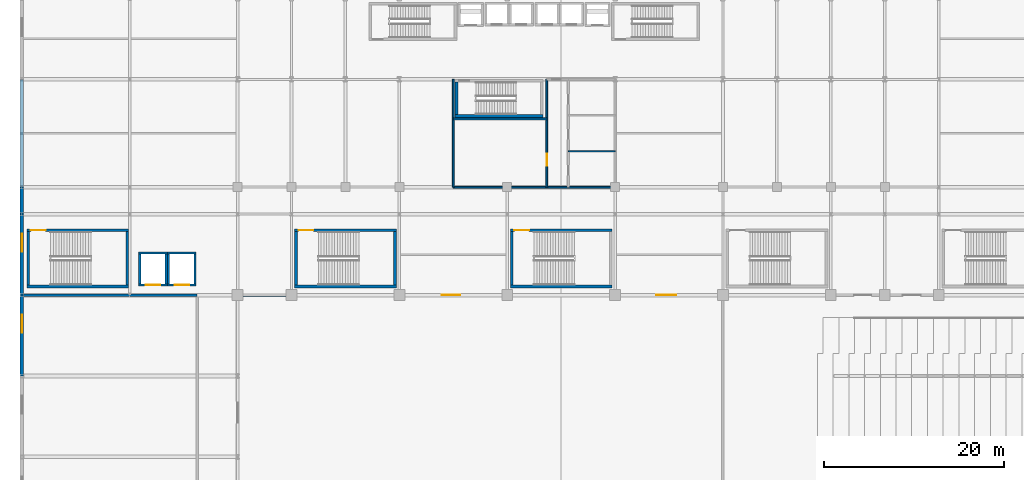
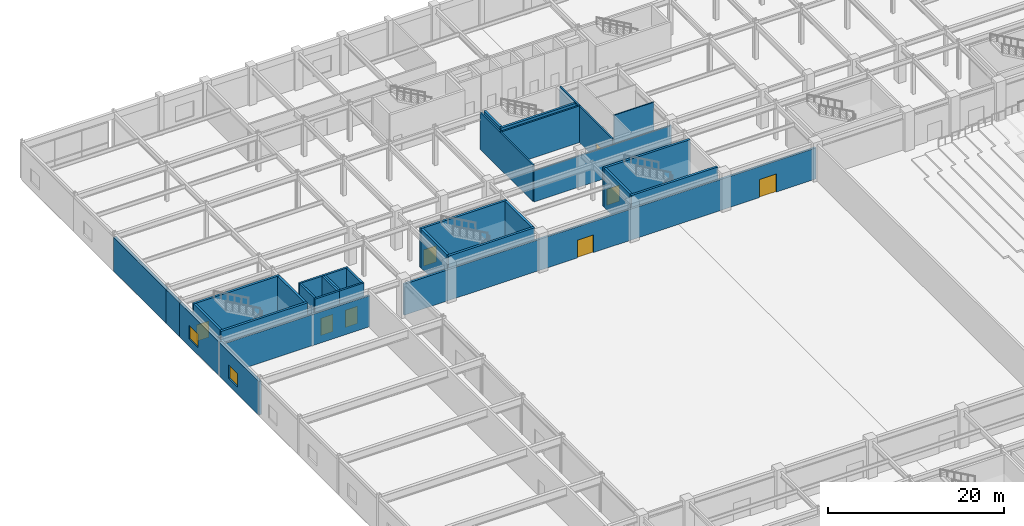
# One storey, part 83 of 100: 32 walls, 8 doors, 2 windows, 10 openings.
"""IFC4 building model written with IfcOpenShell, lengths in metres."""

from ifc_helpers import new_model, si_unit, direction, frame, frame_2d, origin, place, context, subcontext, project, spatial, rectangle, extrude, material, layer, layer_set, type_object, element, fill, save


model = new_model("IFC4")

# Units and contexts
model_context = context("Model", 3, precision=1e-05, world=origin(), true_north=direction((0.0, 1.0)))
body_context = subcontext(model_context, "Body", "Model", "MODEL_VIEW")
ifc_project = project(units=[si_unit("LENGTHUNIT", "METRE"), si_unit("AREAUNIT", "SQUARE_METRE"), si_unit("VOLUMEUNIT", "CUBIC_METRE"), si_unit("PLANEANGLEUNIT", "RADIAN"), si_unit("MASSUNIT", "GRAM", prefix="KILO")], contexts=[model_context])

# Site, building, storey
site_placement = place(None, origin())
site = spatial("IfcSite", under=ifc_project, at=site_placement, CompositionType="ELEMENT")
building_placement = place(site_placement, origin())
building = spatial("IfcBuilding", under=site, at=building_placement, Name="Kaldorvane Square Convention Centre", CompositionType="ELEMENT")
storey_placement = place(building_placement, frame((0.0, 0.0, 18.0)))
storey = spatial("IfcBuildingStorey", under=building, at=storey_placement, Name="L03", CompositionType="ELEMENT", Elevation=18.0)

# Wall, openings, doors
ifc_material_1 = material(Name="Reinforced Concrete Masonry Acoustic Partition", Category="masonry")
ifc_layer_1 = layer(ifc_material_1, 0.279998779296875)
ifc_layer_set_1 = layer_set([ifc_layer_1], Name="Reinforced Concrete Masonry Acoustic Partition")
wall_type_1 = type_object("IfcWallType", Name="WL-ACO-280", PredefinedType="PARTITIONING", material=ifc_layer_set_1)
wall_1_placement = place(storey_placement, frame((78.0, 72.0, 0.0), z_axis=(0.0, 0.0, 1.0), x_axis=(-1.0, 0.0, 0.0)))
wall_1 = element("IfcWall", 1, at=wall_1_placement, inside=storey, type_object=wall_type_1, Name="Ballroom N Wall", PredefinedType="PARTITIONING", context=body_context, shape_type="SweptSolid", body=[
    extrude(rectangle(XDim=54.0, YDim=0.279998779296875, at=frame_2d((27.0, 0.0))), origin(), (0.0, 0.0, 1.0), 4.302001953125),
])
opening_1_placement = place(wall_1_placement, frame((5.1999969482421875, 0.0, 0.0)))
opening_1 = element("IfcOpeningElement", 2, at=opening_1_placement, cuts=wall_1, Name="Opening ID-02", PredefinedType="OPENING", context=body_context, shape_type="SweptSolid", body=[
    extrude(rectangle(XDim=2.1999969482421875, YDim=2.5, at=frame_2d((1.100006103515625, 1.25))), frame((0.0, 0.154998779296875, 0.0), z_axis=(0.0, -1.0, 0.0), x_axis=(1.0, 0.0, 0.0)), (0.0, 0.0, 1.0), 0.30999755859375),
])
opening_2_placement = place(wall_1_placement, frame((29.199996948242188, 0.0, 0.0)))
opening_2 = element("IfcOpeningElement", 3, at=opening_2_placement, cuts=wall_1, Name="Opening ID-03", PredefinedType="OPENING", context=body_context, shape_type="SweptSolid", body=[
    extrude(rectangle(XDim=2.100006103515625, YDim=2.4499969482421875, at=frame_2d((1.0500030517578125, 1.225006103515625))), frame((0.0, 0.154998779296875, 0.0), z_axis=(0.0, -1.0, 0.0), x_axis=(1.0, 0.0, 0.0)), (0.0, 0.0, 1.0), 0.30999755859375),
])
ifc_material_2 = material(Name="Architectural Solid-Core White Oak")
door_type_1 = type_object("IfcDoorType", Name="DR-BALL-2100X2450", OperationType="DOUBLE_DOOR_SINGLE_SWING", PredefinedType="DOOR", material=ifc_material_2)
door_1_placement = place(opening_2_placement, origin())
door_1 = element("IfcDoor", 4, at=door_1_placement, inside=storey, type_object=door_type_1, Name="Ballroom Door 5", OperationType="DOUBLE_DOOR_SINGLE_SWING", OverallHeight=2.4499969482421875, OverallWidth=2.100006103515625, PredefinedType="DOOR", context=body_context, shape_type="SweptSolid", body=[
    extrude(rectangle(XDim=2.100006103515625, YDim=2.4499969482421875, at=frame_2d((1.0500030517578125, 1.225006103515625))), frame((0.0, 0.024993896484375, 0.0), z_axis=(0.0, -1.0, 0.0), x_axis=(1.0, 0.0, 0.0)), (0.0, 0.0, 1.0), 0.0500030517578125),
])
fill(opening_2, door_1)
door_type_2 = type_object("IfcDoorType", Name="DR-BALL-2200X2500", OperationType="DOUBLE_DOOR_SINGLE_SWING", PredefinedType="DOOR", material=ifc_material_2)
door_2_placement = place(opening_1_placement, origin())
door_2 = element("IfcDoor", 5, at=door_2_placement, inside=storey, type_object=door_type_2, Name="Ballroom Door 4", OperationType="DOUBLE_DOOR_SINGLE_SWING", OverallHeight=2.5, OverallWidth=2.1999969482421875, PredefinedType="DOOR", context=body_context, shape_type="SweptSolid", body=[
    extrude(rectangle(XDim=2.1999969482421875, YDim=2.5, at=frame_2d((1.100006103515625, 1.25))), frame((0.0, 0.024993896484375, 0.0), z_axis=(0.0, -1.0, 0.0), x_axis=(1.0, 0.0, 0.0)), (0.0, 0.0, 1.0), 0.0500030517578125),
])
fill(opening_1, door_2)

# Walls
wall_2_placement = place(storey_placement, frame((19.5, 72.0, 0.0), z_axis=(0.0, 0.0, 1.0), x_axis=(-1.0, 0.0, 0.0)))
element("IfcWall", 6, at=wall_2_placement, inside=storey, type_object=wall_type_1, Name="Banquet Catering Kitchen N Wall", PredefinedType="PARTITIONING", context=body_context, shape_type="SweptSolid", body=[
    extrude(rectangle(XDim=19.30999755859375, YDim=0.279998779296875, at=frame_2d((9.654998779296875, 0.0))), origin(), (0.0, 0.0, 1.0), 4.302001953125),
])
ifc_material_3 = material(Name="Fire-Rated Gypsum Board on Acoustic Steel Studs", Category="steel")
ifc_layer_2 = layer(ifc_material_3, 0.1999969482421875)
ifc_layer_set_2 = layer_set([ifc_layer_2], Name="Fire-Rated Gypsum Board on Acoustic Steel Studs")
wall_type_2 = type_object("IfcWallType", Name="WL-CORR-200", PredefinedType="PARTITIONING", material=ifc_layer_set_2)
wall_3_placement = place(storey_placement, frame((48.0, 84.0, 0.0), z_axis=(0.0, 0.0, 1.0), x_axis=(1.0, 0.0, 0.0)))
element("IfcWall", 7, at=wall_3_placement, inside=storey, type_object=wall_type_2, Name="Service Block South Partition (L03)", PredefinedType="PARTITIONING", context=body_context, shape_type="SweptSolid", body=[
    extrude(rectangle(XDim=18.0, YDim=0.1999969482421875, at=frame_2d((9.0, 0.0))), origin(), (0.0, 0.0, 1.0), 4.302001953125),
])

# Wall, opening, door
wall_4_placement = place(storey_placement, frame((58.399993896484375, 84.0, 0.0), z_axis=(0.0, 0.0, 1.0), x_axis=(0.0, 1.0, 0.0)))
wall_4 = element("IfcWall", 8, at=wall_4_placement, inside=storey, type_object=wall_type_2, Name="Restroom Vestibule West Wall (L03)", PredefinedType="PARTITIONING", context=body_context, shape_type="SweptSolid", body=[
    extrude(rectangle(XDim=12.0, YDim=0.1999969482421875, at=frame_2d((6.0, 0.0))), origin(), (0.0, 0.0, 1.0), 5.0800018310546875),
])
opening_3_placement = place(wall_4_placement, frame((2.399993896484375, 0.0, 0.0)))
opening_3 = element("IfcOpeningElement", 9, at=opening_3_placement, cuts=wall_4, Name="Opening ID-09", PredefinedType="OPENING", context=body_context, shape_type="SweptSolid", body=[
    extrude(rectangle(XDim=1.3000030517578125, YDim=2.1999969482421875, at=frame_2d((0.649993896484375, 1.100006103515625))), frame((0.0, 0.114990234375, 0.0), z_axis=(0.0, -1.0, 0.0), x_axis=(1.0, 0.0, 0.0)), (0.0, 0.0, 1.0), 0.2299957275390625),
])
ifc_material_4 = material(Name="Insulated Hollow Metal Steel", Category="steel")
door_type_3 = type_object("IfcDoorType", Name="DR-SVC-1300X2200", OperationType="DOUBLE_DOOR_SINGLE_SWING", PredefinedType="DOOR", material=ifc_material_4)
door_3_placement = place(opening_3_placement, origin())
door_3 = element("IfcDoor", 10, at=door_3_placement, inside=storey, type_object=door_type_3, Name="Janitor and Service Closet (L03) Door", OperationType="DOUBLE_DOOR_SINGLE_SWING", OverallHeight=2.1999969482421875, OverallWidth=1.3000030517578125, PredefinedType="DOOR", context=body_context, shape_type="SweptSolid", body=[
    extrude(rectangle(XDim=1.3000030517578125, YDim=2.1999969482421875, at=frame_2d((0.649993896484375, 1.100006103515625))), frame((0.0, 0.024993896484375, 0.0), z_axis=(0.0, -1.0, 0.0), x_axis=(1.0, 0.0, 0.0)), (0.0, 0.0, 1.0), 0.0500030517578125),
])
fill(opening_3, door_3)

# Walls
wall_5_placement = place(storey_placement, frame((48.0, 91.60000610351562, 0.0), z_axis=(0.0, 0.0, 1.0), x_axis=(1.0, 0.0, 0.0)))
element("IfcWall", 11, at=wall_5_placement, inside=storey, type_object=wall_type_2, Name="Housekeeping North Wall (L03)", PredefinedType="PARTITIONING", context=body_context, shape_type="SweptSolid", body=[
    extrude(rectangle(XDim=10.399993896484375, YDim=0.1999969482421875, at=frame_2d((5.1999969482421875, 0.0))), origin(), (0.0, 0.0, 1.0), 5.0800018310546875),
])
wall_6_placement = place(storey_placement, frame((48.0, 84.0, 0.0), z_axis=(0.0, 0.0, 1.0), x_axis=(0.0, 1.0, 0.0)))
element("IfcWall", 12, at=wall_6_placement, inside=storey, type_object=wall_type_2, Name="Service Block West Wall (L03)", PredefinedType="PARTITIONING", context=body_context, shape_type="SweptSolid", body=[
    extrude(rectangle(XDim=12.0, YDim=0.1999969482421875, at=frame_2d((6.0, 0.0))), origin(), (0.0, 0.0, 1.0), 5.0800018310546875),
])

# Wall, opening, window
ifc_material_5 = material(Name="Concrete f'c = 42 MPa (Normalweight)", Category="concrete")
ifc_layer_3 = layer(ifc_material_5, 0.3800048828125)
ifc_layer_set_3 = layer_set([ifc_layer_3], Name="Concrete f'c = 42 MPa (Normalweight)")
wall_type_3 = type_object("IfcWallType", Name="WL-EXT-380", PredefinedType="STANDARD", material=ifc_layer_set_3)
wall_7_placement = place(storey_placement, frame((0.0, 72.0, 0.0), z_axis=(0.0, 0.0, 1.0), x_axis=(0.0, -1.0, 0.0)))
wall_7 = element("IfcWall", 13, at=wall_7_placement, inside=storey, type_object=wall_type_3, Name="West Brutalist Facade Wall (L03)", PredefinedType="STANDARD", context=body_context, shape_type="SweptSolid", body=[
    extrude(rectangle(XDim=9.0, YDim=0.3800048828125, at=frame_2d((4.5, 0.0))), origin(), (0.0, 0.0, 1.0), 4.66900634765625),
])
opening_4_placement = place(wall_7_placement, frame((2.1999969482421875, 0.0, 1.0)))
opening_4 = element("IfcOpeningElement", 14, at=opening_4_placement, cuts=wall_7, Name="Opening W-21", PredefinedType="OPENING", context=body_context, shape_type="SweptSolid", body=[
    extrude(rectangle(XDim=2.0, YDim=1.850006103515625, at=frame_2d((1.0, 0.9250030517578125))), frame((0.0, 0.2050018310546875, 0.0), z_axis=(0.0, -1.0, 0.0), x_axis=(1.0, 0.0, 0.0)), (0.0, 0.0, 1.0), 0.410003662109375),
])
ifc_material_6 = material(Name="Anodized Aluminum and Low-E Insulated Glazing", Category="aluminium")
window_type = type_object("IfcWindowType", Name="WN-POD-2000X1850", PartitioningType="DOUBLE_PANEL_VERTICAL", PredefinedType="WINDOW", material=ifc_material_6)
window_1_placement = place(opening_4_placement, origin())
window_1 = element("IfcWindow", 15, at=window_1_placement, inside=storey, type_object=window_type, Name="West Facade Window (L03)", OverallHeight=1.850006103515625, OverallWidth=2.0, PartitioningType="DOUBLE_PANEL_VERTICAL", PredefinedType="WINDOW", context=body_context, shape_type="SweptSolid", body=[
    extrude(rectangle(XDim=2.0, YDim=1.850006103515625, at=frame_2d((1.0, 0.9250030517578125))), frame((0.0, 0.029998779296875, 0.0), z_axis=(0.0, -1.0, 0.0), x_axis=(1.0, 0.0, 0.0)), (0.0, 0.0, 1.0), 0.05999755859375),
])
fill(opening_4, window_1)

wall_8_placement = place(storey_placement, frame((0.0, 81.0, 0.0), z_axis=(0.0, 0.0, 1.0), x_axis=(0.0, -1.0, 0.0)))
wall_8 = element("IfcWall", 16, at=wall_8_placement, inside=storey, type_object=wall_type_3, Name="West Brutalist Facade Wall (L03)", PredefinedType="STANDARD", context=body_context, shape_type="SweptSolid", body=[
    extrude(rectangle(XDim=9.0, YDim=0.3800048828125, at=frame_2d((4.5, 0.0))), origin(), (0.0, 0.0, 1.0), 4.66900634765625),
])
opening_5_placement = place(wall_8_placement, frame((2.1999969482421875, 0.0, 1.0)))
opening_5 = element("IfcOpeningElement", 17, at=opening_5_placement, cuts=wall_8, Name="Opening W-21", PredefinedType="OPENING", context=body_context, shape_type="SweptSolid", body=[
    extrude(rectangle(XDim=2.0, YDim=1.850006103515625, at=frame_2d((1.0, 0.9250030517578125))), frame((0.0, 0.2050018310546875, 0.0), z_axis=(0.0, -1.0, 0.0), x_axis=(1.0, 0.0, 0.0)), (0.0, 0.0, 1.0), 0.410003662109375),
])
window_2_placement = place(opening_5_placement, origin())
window_2 = element("IfcWindow", 18, at=window_2_placement, inside=storey, type_object=window_type, Name="West Facade Window (L03)", OverallHeight=1.850006103515625, OverallWidth=2.0, PartitioningType="DOUBLE_PANEL_VERTICAL", PredefinedType="WINDOW", context=body_context, shape_type="SweptSolid", body=[
    extrude(rectangle(XDim=2.0, YDim=1.850006103515625, at=frame_2d((1.0, 0.9250030517578125))), frame((0.0, 0.029998779296875, 0.0), z_axis=(0.0, -1.0, 0.0), x_axis=(1.0, 0.0, 0.0)), (0.0, 0.0, 1.0), 0.05999755859375),
])
fill(opening_5, window_2)

# Walls
wall_9_placement = place(storey_placement, frame((0.0, 84.0, 0.0), z_axis=(0.0, 0.0, 1.0), x_axis=(0.0, -1.0, 0.0)))
element("IfcWall", 19, at=wall_9_placement, inside=storey, type_object=wall_type_3, Name="West Brutalist Facade Wall (L03)", PredefinedType="STANDARD", context=body_context, shape_type="SweptSolid", body=[
    extrude(rectangle(XDim=3.0, YDim=0.3800048828125, at=frame_2d((1.5, 0.0))), origin(), (0.0, 0.0, 1.0), 4.66900634765625),
])
wall_10_placement = place(storey_placement, frame((0.0, 96.0, 0.0), z_axis=(0.0, 0.0, 1.0), x_axis=(0.0, -1.0, 0.0)))
element("IfcWall", 20, at=wall_10_placement, inside=storey, type_object=wall_type_3, Name="West Brutalist Facade Wall (L03)", PredefinedType="STANDARD", context=body_context, shape_type="SweptSolid", body=[
    extrude(rectangle(XDim=12.0, YDim=0.3800048828125, at=frame_2d((6.0, 0.0))), origin(), (0.0, 0.0, 1.0), 4.66900634765625),
])
ifc_layer_4 = layer(ifc_material_3, 0.149993896484375)
ifc_layer_set_4 = layer_set([ifc_layer_4], Name="Fire-Rated Gypsum Board on Acoustic Steel Studs")
wall_type_4 = type_object("IfcWallType", Name="WL-PART-150", PredefinedType="PARTITIONING", material=ifc_layer_set_4)
wall_11_placement = place(storey_placement, frame((60.80000305175781, 88.0, 0.0), z_axis=(0.0, 0.0, 1.0), x_axis=(1.0, 0.0, 0.0)))
element("IfcWall", 21, at=wall_11_placement, inside=storey, type_object=wall_type_4, Name="Restroom Partition 1 (L03)", PredefinedType="PARTITIONING", context=body_context, shape_type="SweptSolid", body=[
    extrude(rectangle(XDim=5.1999969482421875, YDim=0.149993896484375, at=frame_2d((2.600006103515625, 0.0))), origin(), (0.0, 0.0, 1.0), 5.0800018310546875),
])
ifc_material_7 = material(Name="Concrete f'c = 55 MPa (Normalweight)", Category="concrete")
ifc_layer_5 = layer(ifc_material_7, 0.3000030517578125)
ifc_layer_set_5 = layer_set([ifc_layer_5], Name="Concrete f'c = 55 MPa (Normalweight)")
wall_type_5 = type_object("IfcWallType", Name="WL-SHAFT-300", PredefinedType="SHEAR", material=ifc_layer_set_5)
wall_12_placement = place(storey_placement, frame((48.19999694824219, 91.91000366210938, 0.0), z_axis=(0.0, 0.0, 1.0), x_axis=(1.0, 0.0, 0.0)))
element("IfcWall", 22, at=wall_12_placement, inside=storey, type_object=wall_type_5, Name="Core Enclosure Wall stair:ST-T3-S (L03)", PredefinedType="SHEAR", context=body_context, shape_type="SweptSolid", body=[
    extrude(rectangle(XDim=9.800003051757812, YDim=0.3000030517578125, at=frame_2d((4.899993896484375, 0.0))), origin(), (0.0, 0.0, 1.0), 5.399993896484375),
])
wall_13_placement = place(storey_placement, frame((48.350006103515625, 95.69999694824219, 0.0), z_axis=(0.0, 0.0, 1.0), x_axis=(0.0, -1.0, 0.0)))
element("IfcWall", 23, at=wall_13_placement, inside=storey, type_object=wall_type_5, Name="Core Enclosure Wall stair:ST-T3-W (L03)", PredefinedType="SHEAR", context=body_context, shape_type="SweptSolid", body=[
    extrude(rectangle(XDim=3.6399993896484375, YDim=0.3000030517578125, at=frame_2d((1.82000732421875, 0.0))), origin(), (0.0, 0.0, 1.0), 5.399993896484375),
])
wall_14_placement = place(storey_placement, frame((0.55999755859375, 72.94999694824219, 0.0), z_axis=(0.0, 0.0, 1.0), x_axis=(1.0, 0.0, 0.0)))
element("IfcWall", 24, at=wall_14_placement, inside=storey, type_object=wall_type_5, Name="Core Enclosure Wall stair:ST-C12-S (L03)", PredefinedType="SHEAR", context=body_context, shape_type="SweptSolid", body=[
    extrude(rectangle(XDim=11.32000732421875, YDim=0.3000030517578125, at=frame_2d((5.660003662109375, 0.0))), origin(), (0.0, 0.0, 1.0), 5.399993896484375),
])

# Wall, opening, door
wall_15_placement = place(storey_placement, frame((11.8800048828125, 79.21000671386719, 0.0), z_axis=(0.0, 0.0, 1.0), x_axis=(-1.0, 0.0, 0.0)))
wall_15 = element("IfcWall", 25, at=wall_15_placement, inside=storey, type_object=wall_type_5, Name="Core Enclosure Wall stair:ST-C12-N (L03)", PredefinedType="SHEAR", context=body_context, shape_type="SweptSolid", body=[
    extrude(rectangle(XDim=11.32000732421875, YDim=0.3000030517578125, at=frame_2d((5.660003662109375, 0.0))), origin(), (0.0, 0.0, 1.0), 5.399993896484375),
])
opening_6_placement = place(wall_15_placement, frame((9.220001220703125, 0.0, 0.0)))
opening_6 = element("IfcOpeningElement", 26, at=opening_6_placement, cuts=wall_15, Name="Opening FD90-S2", PredefinedType="OPENING", context=body_context, shape_type="SweptSolid", body=[
    extrude(rectangle(XDim=1.649993896484375, YDim=2.25, at=frame_2d((0.8249969482421875, 1.125))), frame((0.0, 0.165008544921875, 0.0), z_axis=(0.0, -1.0, 0.0), x_axis=(1.0, 0.0, 0.0)), (0.0, 0.0, 1.0), 0.3300018310546875),
])
ifc_material_8 = material(Name="Fire-Rated Hollow Metal Steel", Category="steel")
door_type_4 = type_object("IfcDoorType", Name="DR-STAIR-1650", OperationType="DOUBLE_DOOR_SINGLE_SWING", PredefinedType="DOOR", material=ifc_material_8)
door_4_placement = place(opening_6_placement, origin())
door_4 = element("IfcDoor", 27, at=door_4_placement, inside=storey, type_object=door_type_4, Name="Convention Exit Stair C12 Fire Door (L03)", OperationType="DOUBLE_DOOR_SINGLE_SWING", OverallHeight=2.25, OverallWidth=1.649993896484375, PredefinedType="DOOR", context=body_context, shape_type="SweptSolid", body=[
    extrude(rectangle(XDim=1.649993896484375, YDim=2.25, at=frame_2d((0.8249969482421875, 1.125))), frame((0.0, 0.024993896484375, 0.0), z_axis=(0.0, -1.0, 0.0), x_axis=(1.0, 0.0, 0.0)), (0.0, 0.0, 1.0), 0.0500030517578125),
])
fill(opening_6, door_4)

# Walls
for number, where, z_axis, x_axis, name in (
    (28, (0.7100067138671875, 79.05999755859375, 0.0), (0.0, 0.0, 1.0), (0.0, -1.0, 0.0), "Core Enclosure Wall stair:ST-C12-W (L03)"),
    (29, (11.729995727539062, 73.10000610351562, 0.0), (0.0, 0.0, 1.0), (0.0, 1.0, 0.0), "Core Enclosure Wall stair:ST-C12-E (L03)"),
):
    element("IfcWall", number, at=place(storey_placement, frame(where, z_axis=z_axis, x_axis=x_axis)), inside=storey, type_object=wall_type_5, Name=name, PredefinedType="SHEAR", context=body_context, shape_type="SweptSolid", body=[
        extrude(rectangle(XDim=5.959991455078125, YDim=0.3000030517578125, at=frame_2d((2.9799957275390625, 0.0))), origin(), (0.0, 0.0, 1.0), 5.399993896484375),
    ])
wall_16_placement = place(storey_placement, frame((30.339996337890625, 72.94999694824219, 0.0), z_axis=(0.0, 0.0, 1.0), x_axis=(1.0, 0.0, 0.0)))
element("IfcWall", 30, at=wall_16_placement, inside=storey, type_object=wall_type_5, Name="Core Enclosure Wall stair:ST-C13-S (L03)", PredefinedType="SHEAR", context=body_context, shape_type="SweptSolid", body=[
    extrude(rectangle(XDim=11.32000732421875, YDim=0.3000030517578125, at=frame_2d((5.660003662109375, 0.0))), origin(), (0.0, 0.0, 1.0), 5.399993896484375),
])

# Wall, opening, door
wall_17_placement = place(storey_placement, frame((41.660003662109375, 79.21000671386719, 0.0), z_axis=(0.0, 0.0, 1.0), x_axis=(-1.0, 0.0, 0.0)))
wall_17 = element("IfcWall", 31, at=wall_17_placement, inside=storey, type_object=wall_type_5, Name="Core Enclosure Wall stair:ST-C13-N (L03)", PredefinedType="SHEAR", context=body_context, shape_type="SweptSolid", body=[
    extrude(rectangle(XDim=11.32000732421875, YDim=0.3000030517578125, at=frame_2d((5.660003662109375, 0.0))), origin(), (0.0, 0.0, 1.0), 5.399993896484375),
])
opening_7_placement = place(wall_17_placement, frame((9.220001220703125, 0.0, 0.0)))
opening_7 = element("IfcOpeningElement", 32, at=opening_7_placement, cuts=wall_17, Name="Opening FD90-S2", PredefinedType="OPENING", context=body_context, shape_type="SweptSolid", body=[
    extrude(rectangle(XDim=1.649993896484375, YDim=2.25, at=frame_2d((0.8249969482421875, 1.125))), frame((0.0, 0.165008544921875, 0.0), z_axis=(0.0, -1.0, 0.0), x_axis=(1.0, 0.0, 0.0)), (0.0, 0.0, 1.0), 0.3300018310546875),
])
door_5_placement = place(opening_7_placement, origin())
door_5 = element("IfcDoor", 33, at=door_5_placement, inside=storey, type_object=door_type_4, Name="Convention Exit Stair C13 Fire Door (L03)", OperationType="DOUBLE_DOOR_SINGLE_SWING", OverallHeight=2.25, OverallWidth=1.649993896484375, PredefinedType="DOOR", context=body_context, shape_type="SweptSolid", body=[
    extrude(rectangle(XDim=1.649993896484375, YDim=2.25, at=frame_2d((0.8249969482421875, 1.125))), frame((0.0, 0.024993896484375, 0.0), z_axis=(0.0, -1.0, 0.0), x_axis=(1.0, 0.0, 0.0)), (0.0, 0.0, 1.0), 0.0500030517578125),
])
fill(opening_7, door_5)

# Walls
for number, where, z_axis, x_axis, name in (
    (34, (30.490005493164062, 79.05999755859375, 0.0), (0.0, 0.0, 1.0), (0.0, -1.0, 0.0), "Core Enclosure Wall stair:ST-C13-W (L03)"),
    (35, (41.50999450683594, 73.10000610351562, 0.0), (0.0, 0.0, 1.0), (0.0, 1.0, 0.0), "Core Enclosure Wall stair:ST-C13-E (L03)"),
):
    element("IfcWall", number, at=place(storey_placement, frame(where, z_axis=z_axis, x_axis=x_axis)), inside=storey, type_object=wall_type_5, Name=name, PredefinedType="SHEAR", context=body_context, shape_type="SweptSolid", body=[
        extrude(rectangle(XDim=5.959991455078125, YDim=0.3000030517578125, at=frame_2d((2.9799957275390625, 0.0))), origin(), (0.0, 0.0, 1.0), 5.399993896484375),
    ])
wall_18_placement = place(storey_placement, frame((54.339996337890625, 72.94999694824219, 0.0), z_axis=(0.0, 0.0, 1.0), x_axis=(1.0, 0.0, 0.0)))
element("IfcWall", 36, at=wall_18_placement, inside=storey, type_object=wall_type_5, Name="Core Enclosure Wall stair:ST-C14-S (L03)", PredefinedType="SHEAR", context=body_context, shape_type="SweptSolid", body=[
    extrude(rectangle(XDim=11.32000732421875, YDim=0.3000030517578125, at=frame_2d((5.660003662109375, 0.0))), origin(), (0.0, 0.0, 1.0), 5.399993896484375),
])

# Wall, opening, door
wall_19_placement = place(storey_placement, frame((65.66000366210938, 79.21000671386719, 0.0), z_axis=(0.0, 0.0, 1.0), x_axis=(-1.0, 0.0, 0.0)))
wall_19 = element("IfcWall", 37, at=wall_19_placement, inside=storey, type_object=wall_type_5, Name="Core Enclosure Wall stair:ST-C14-N (L03)", PredefinedType="SHEAR", context=body_context, shape_type="SweptSolid", body=[
    extrude(rectangle(XDim=11.32000732421875, YDim=0.3000030517578125, at=frame_2d((5.660003662109375, 0.0))), origin(), (0.0, 0.0, 1.0), 5.399993896484375),
])
opening_8_placement = place(wall_19_placement, frame((9.220001220703125, 0.0, 0.0)))
opening_8 = element("IfcOpeningElement", 38, at=opening_8_placement, cuts=wall_19, Name="Opening FD90-S2", PredefinedType="OPENING", context=body_context, shape_type="SweptSolid", body=[
    extrude(rectangle(XDim=1.649993896484375, YDim=2.25, at=frame_2d((0.8249969482421875, 1.125))), frame((0.0, 0.165008544921875, 0.0), z_axis=(0.0, -1.0, 0.0), x_axis=(1.0, 0.0, 0.0)), (0.0, 0.0, 1.0), 0.3300018310546875),
])
door_6_placement = place(opening_8_placement, origin())
door_6 = element("IfcDoor", 39, at=door_6_placement, inside=storey, type_object=door_type_4, Name="Convention Exit Stair C14 Fire Door (L03)", OperationType="DOUBLE_DOOR_SINGLE_SWING", OverallHeight=2.25, OverallWidth=1.649993896484375, PredefinedType="DOOR", context=body_context, shape_type="SweptSolid", body=[
    extrude(rectangle(XDim=1.649993896484375, YDim=2.25, at=frame_2d((0.8249969482421875, 1.125))), frame((0.0, 0.024993896484375, 0.0), z_axis=(0.0, -1.0, 0.0), x_axis=(1.0, 0.0, 0.0)), (0.0, 0.0, 1.0), 0.0500030517578125),
])
fill(opening_8, door_6)

# Wall
wall_20_placement = place(storey_placement, frame((54.49000549316406, 79.05999755859375, 0.0), z_axis=(0.0, 0.0, 1.0), x_axis=(0.0, -1.0, 0.0)))
element("IfcWall", 40, at=wall_20_placement, inside=storey, type_object=wall_type_5, Name="Core Enclosure Wall stair:ST-C14-W (L03)", PredefinedType="SHEAR", context=body_context, shape_type="SweptSolid", body=[
    extrude(rectangle(XDim=5.959991455078125, YDim=0.3000030517578125, at=frame_2d((2.9799957275390625, 0.0))), origin(), (0.0, 0.0, 1.0), 5.399993896484375),
])

# Wall, opening, door
wall_21_placement = place(storey_placement, frame((13.0, 73.125, 0.0), z_axis=(0.0, 0.0, 1.0), x_axis=(1.0, 0.0, 0.0)))
wall_21 = element("IfcWall", 41, at=wall_21_placement, inside=storey, type_object=wall_type_5, Name="Core Enclosure Wall lift:EL-G1-S (L03)", PredefinedType="SHEAR", context=body_context, shape_type="SweptSolid", body=[
    extrude(rectangle(XDim=3.1999969482421875, YDim=0.25, at=frame_2d((1.600006103515625, 0.0))), origin(), (0.0, 0.0, 1.0), 5.399993896484375),
])
opening_9_placement = place(wall_21_placement, frame((0.8000030517578125, 0.0, 0.0)))
opening_9 = element("IfcOpeningElement", 42, at=opening_9_placement, cuts=wall_21, Name="Opening LD-03", PredefinedType="OPENING", context=body_context, shape_type="SweptSolid", body=[
    extrude(rectangle(XDim=1.600006103515625, YDim=2.399993896484375, at=frame_2d((0.8000030517578125, 1.1999969482421875))), frame((0.0, 0.1399993896484375, 0.0), z_axis=(0.0, -1.0, 0.0), x_axis=(1.0, 0.0, 0.0)), (0.0, 0.0, 1.0), 0.279998779296875),
])
ifc_material_9 = material(Name="Stainless Steel Elevator Door Assembly", Category="steel")
door_type_5 = type_object("IfcDoorType", Name="DR-LIFT-1600", OperationType="DOUBLE_DOOR_SLIDING", PredefinedType="DOOR", material=ifc_material_9)
door_7_placement = place(opening_9_placement, origin())
door_7 = element("IfcDoor", 43, at=door_7_placement, inside=storey, type_object=door_type_5, Name="Elevator Landing Door EL-G1 (L03)", OperationType="DOUBLE_DOOR_SLIDING", OverallHeight=2.399993896484375, OverallWidth=1.600006103515625, PredefinedType="DOOR", context=body_context, shape_type="SweptSolid", body=[
    extrude(rectangle(XDim=1.600006103515625, YDim=2.399993896484375, at=frame_2d((0.8000030517578125, 1.1999969482421875))), frame((0.0, 0.024993896484375, 0.0), z_axis=(0.0, -1.0, 0.0), x_axis=(1.0, 0.0, 0.0)), (0.0, 0.0, 1.0), 0.0500030517578125),
])
fill(opening_9, door_7)

# Walls
wall_22_placement = place(storey_placement, frame((16.199996948242188, 76.67500305175781, 0.0), z_axis=(0.0, 0.0, 1.0), x_axis=(-1.0, 0.0, 0.0)))
element("IfcWall", 44, at=wall_22_placement, inside=storey, type_object=wall_type_5, Name="Core Enclosure Wall lift:EL-G1-N (L03)", PredefinedType="SHEAR", context=body_context, shape_type="SweptSolid", body=[
    extrude(rectangle(XDim=3.1999969482421875, YDim=0.25, at=frame_2d((1.600006103515625, 0.0))), origin(), (0.0, 0.0, 1.0), 5.399993896484375),
])
for number, where, z_axis, x_axis, name in (
    (45, (13.125, 76.55000305175781, 0.0), (0.0, 0.0, 1.0), (0.0, -1.0, 0.0), "Core Enclosure Wall lift:EL-G1-W (L03)"),
    (46, (16.074996948242188, 73.25, 0.0), (0.0, 0.0, 1.0), (0.0, 1.0, 0.0), "Core Enclosure Wall lift:EL-G1-E (L03)"),
):
    element("IfcWall", number, at=place(storey_placement, frame(where, z_axis=z_axis, x_axis=x_axis)), inside=storey, type_object=wall_type_5, Name=name, PredefinedType="SHEAR", context=body_context, shape_type="SweptSolid", body=[
        extrude(rectangle(XDim=3.3000030517578125, YDim=0.25, at=frame_2d((1.649993896484375, 0.0))), origin(), (0.0, 0.0, 1.0), 5.399993896484375),
    ])

# Wall, opening, door
wall_23_placement = place(storey_placement, frame((16.199996948242188, 73.125, 0.0), z_axis=(0.0, 0.0, 1.0), x_axis=(1.0, 0.0, 0.0)))
wall_23 = element("IfcWall", 47, at=wall_23_placement, inside=storey, type_object=wall_type_5, Name="Core Enclosure Wall lift:EL-G2-S (L03)", PredefinedType="SHEAR", context=body_context, shape_type="SweptSolid", body=[
    extrude(rectangle(XDim=3.1999969482421875, YDim=0.25, at=frame_2d((1.600006103515625, 0.0))), origin(), (0.0, 0.0, 1.0), 5.399993896484375),
])
opening_10_placement = place(wall_23_placement, frame((0.8000030517578125, 0.0, 0.0)))
opening_10 = element("IfcOpeningElement", 48, at=opening_10_placement, cuts=wall_23, Name="Opening LD-03", PredefinedType="OPENING", context=body_context, shape_type="SweptSolid", body=[
    extrude(rectangle(XDim=1.600006103515625, YDim=2.399993896484375, at=frame_2d((0.8000030517578125, 1.1999969482421875))), frame((0.0, 0.1399993896484375, 0.0), z_axis=(0.0, -1.0, 0.0), x_axis=(1.0, 0.0, 0.0)), (0.0, 0.0, 1.0), 0.279998779296875),
])
door_8_placement = place(opening_10_placement, origin())
door_8 = element("IfcDoor", 49, at=door_8_placement, inside=storey, type_object=door_type_5, Name="Elevator Landing Door EL-G2 (L03)", OperationType="DOUBLE_DOOR_SLIDING", OverallHeight=2.399993896484375, OverallWidth=1.600006103515625, PredefinedType="DOOR", context=body_context, shape_type="SweptSolid", body=[
    extrude(rectangle(XDim=1.600006103515625, YDim=2.399993896484375, at=frame_2d((0.8000030517578125, 1.1999969482421875))), frame((0.0, 0.024993896484375, 0.0), z_axis=(0.0, -1.0, 0.0), x_axis=(1.0, 0.0, 0.0)), (0.0, 0.0, 1.0), 0.0500030517578125),
])
fill(opening_10, door_8)

# Walls
wall_24_placement = place(storey_placement, frame((19.399993896484375, 76.67500305175781, 0.0), z_axis=(0.0, 0.0, 1.0), x_axis=(-1.0, 0.0, 0.0)))
element("IfcWall", 50, at=wall_24_placement, inside=storey, type_object=wall_type_5, Name="Core Enclosure Wall lift:EL-G2-N (L03)", PredefinedType="SHEAR", context=body_context, shape_type="SweptSolid", body=[
    extrude(rectangle(XDim=3.1999969482421875, YDim=0.25, at=frame_2d((1.600006103515625, 0.0))), origin(), (0.0, 0.0, 1.0), 5.399993896484375),
])
for number, where, z_axis, x_axis, name in (
    (51, (16.324996948242188, 76.55000305175781, 0.0), (0.0, 0.0, 1.0), (0.0, -1.0, 0.0), "Core Enclosure Wall lift:EL-G2-W (L03)"),
    (52, (19.274993896484375, 73.25, 0.0), (0.0, 0.0, 1.0), (0.0, 1.0, 0.0), "Core Enclosure Wall lift:EL-G2-E (L03)"),
):
    element("IfcWall", number, at=place(storey_placement, frame(where, z_axis=z_axis, x_axis=x_axis)), inside=storey, type_object=wall_type_5, Name=name, PredefinedType="SHEAR", context=body_context, shape_type="SweptSolid", body=[
        extrude(rectangle(XDim=3.3000030517578125, YDim=0.25, at=frame_2d((1.649993896484375, 0.0))), origin(), (0.0, 0.0, 1.0), 5.399993896484375),
    ])

save(model, "model.ifc")
